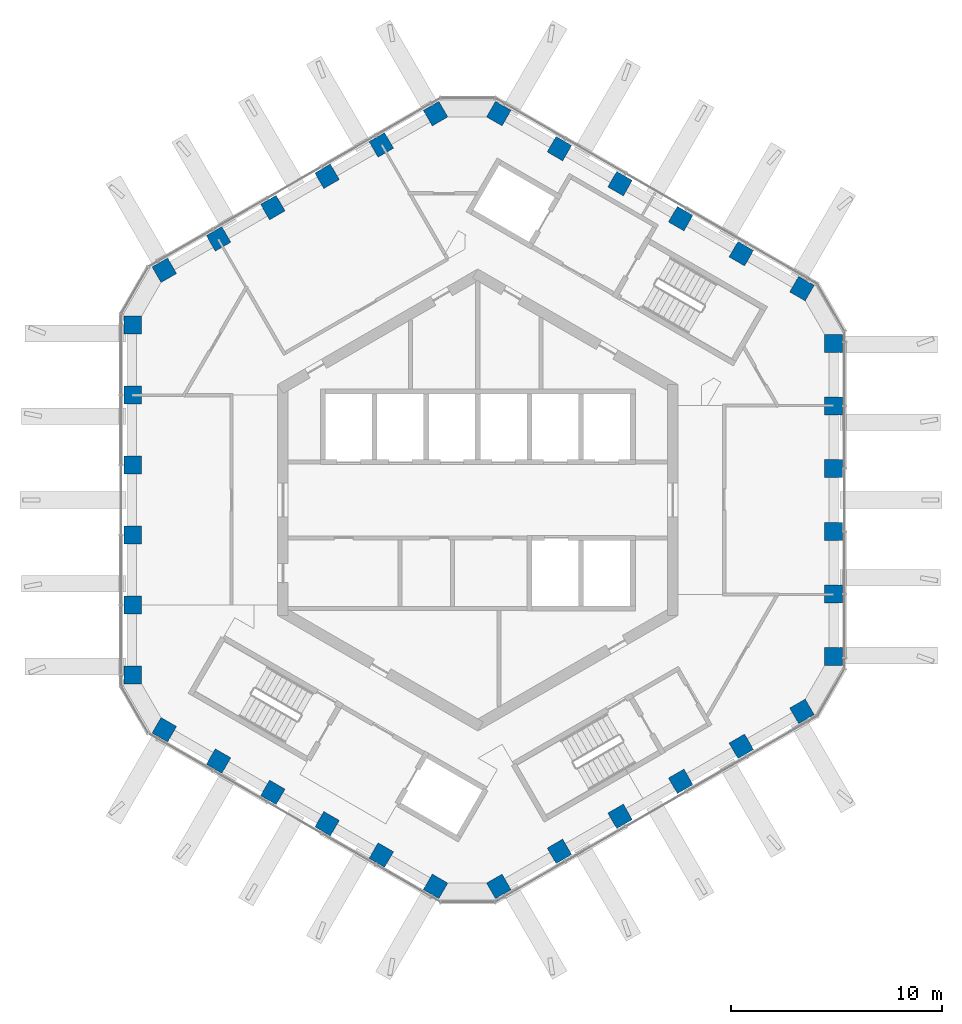
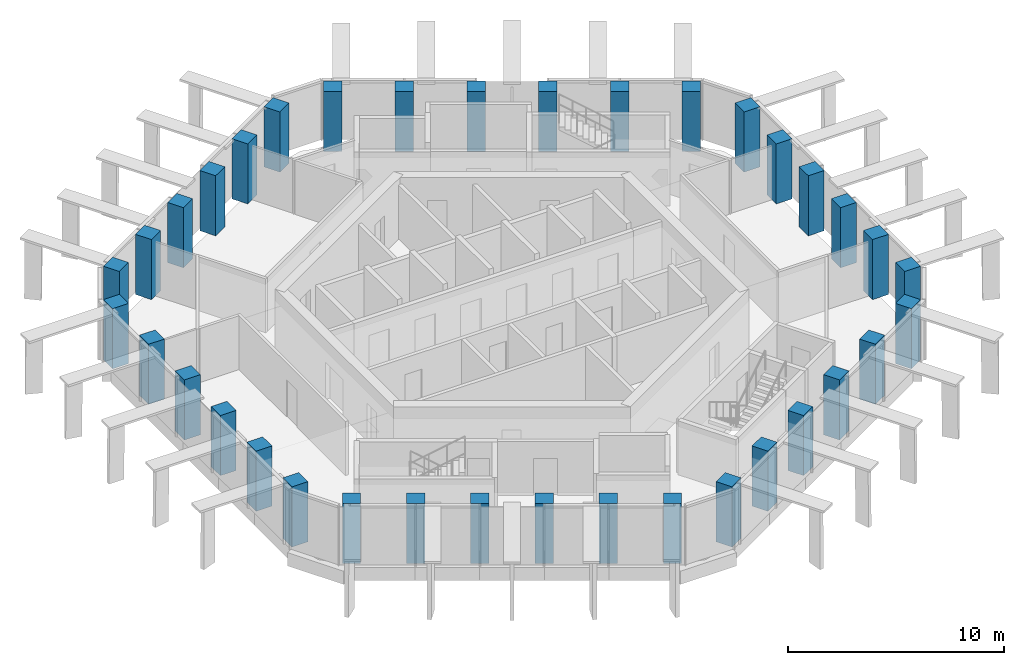
# One storey, part 1 of 17: 36 columns.
"""IFC4 building model written with IfcOpenShell, lengths in metres."""

from ifc_helpers import new_model, si_unit, direction, frame, origin, origin_2d, place, context, subcontext, project, spatial, rectangle, extrude, material, material_profile, profile_set, type_object, element, save


model = new_model("IFC4")

# Units and contexts
model_context = context("Model", 3, precision=1e-05, world=origin(), true_north=direction((0.0, 1.0)))
body_context = subcontext(model_context, "Body", "Model", "MODEL_VIEW")
ifc_project = project(units=[si_unit("LENGTHUNIT", "METRE"), si_unit("AREAUNIT", "SQUARE_METRE"), si_unit("VOLUMEUNIT", "CUBIC_METRE"), si_unit("PLANEANGLEUNIT", "RADIAN"), si_unit("MASSUNIT", "GRAM", prefix="KILO")], contexts=[model_context])

# Site, building, storey
site_placement = place(None, origin())
site = spatial("IfcSite", under=ifc_project, at=site_placement, CompositionType="ELEMENT")
building_placement = place(site_placement, origin())
building = spatial("IfcBuilding", under=site, at=building_placement, Name="Ayvan Gate Tower", CompositionType="ELEMENT")
storey_placement = place(building_placement, frame((0.0, 0.0, 246.10009765625)))
storey = spatial("IfcBuildingStorey", under=building, at=storey_placement, Name="L66", CompositionType="ELEMENT", Elevation=246.10009765625)

# Columns
ifc_material = material(Name="Concrete C50/60", Category="concrete")
ifc_material_profile = material_profile(ifc_material, rectangle(XDim=0.85009765625, YDim=0.85009765625, at=origin_2d()), Name="RC 850x850")
ifc_profile_set = profile_set([ifc_material_profile], Name="Concrete C50/60")
column_type = type_object("IfcColumnType", Name="Tube column RC 850x850 C50/60", PredefinedType="COLUMN", material=ifc_profile_set)
for number, where, z_axis, x_axis, name in (
    (1, (16.887451171875, -7.435546875, 0.0), (0.0, 0.0, 1.0), (1.0, 0.0, 0.0), "C-T0-0-L66"),
    (2, (16.887451171875, -4.461181640625, 0.0), (0.0, 0.0, 1.0), (1.0, 0.0, 0.0), "C-T0-1-L66"),
    (3, (16.887451171875, -1.487060546875, 0.0), (0.0, 0.0, 1.0), (1.0, 0.0, 0.0), "C-T0-2-L66"),
    (4, (16.887451171875, 1.487060546875, 0.0), (0.0, 0.0, 1.0), (1.0, 0.0, 0.0), "C-T0-3-L66"),
    (5, (16.887451171875, 4.461181640625, 0.0), (0.0, 0.0, 1.0), (1.0, 0.0, 0.0), "C-T0-4-L66"),
    (6, (16.887451171875, 7.435546875, 0.0), (0.0, 0.0, 1.0), (1.0, 0.0, 0.0), "C-T0-5-L66"),
    (7, (15.387451171875, 10.033447265625, 0.0), (0.0, 0.0, 1.0), (0.5, 0.866025403784, 0.0), "C-T1-0-L66"),
    (8, (12.509033203125, 11.6953125, 0.0), (0.0, 0.0, 1.0), (0.5, 0.866025403784, 0.0), "C-T1-1-L66"),
    (9, (9.630615234375, 13.357177734375, 0.0), (0.0, 0.0, 1.0), (0.5, 0.866025403784, 0.0), "C-T1-2-L66"),
    (10, (6.75244140625, 15.01904296875, 0.0), (0.0, 0.0, 1.0), (0.5, 0.866025403784, 0.0), "C-T1-3-L66"),
    (11, (3.8740234375, 16.680908203125, 0.0), (0.0, 0.0, 1.0), (0.5, 0.866025403784, 0.0), "C-T1-4-L66"),
    (12, (0.99560546875, 18.3427734375, 0.0), (0.0, 0.0, 1.0), (0.5, 0.866025403784, 0.0), "C-T1-5-L66"),
    (13, (-2.00439453125, 18.3427734375, 0.0), (0.0, 0.0, 1.0), (-0.5, 0.866025403784, 0.0), "C-T2-0-L66"),
    (14, (-4.580078125, 16.855712890625, 0.0), (0.0, 0.0, 1.0), (-0.5, 0.866025403784, 0.0), "C-T2-1-L66"),
    (15, (-7.156005859375, 15.36865234375, 0.0), (0.0, 0.0, 1.0), (-0.5, 0.866025403784, 0.0), "C-T2-2-L66"),
    (16, (-9.731689453125, 13.88134765625, 0.0), (0.0, 0.0, 1.0), (-0.5, 0.866025403784, 0.0), "C-T2-3-L66"),
    (17, (-12.307373046875, 12.394287109375, 0.0), (0.0, 0.0, 1.0), (-0.5, 0.866025403784, 0.0), "C-T2-4-L66"),
    (18, (-14.883056640625, 10.9072265625, 0.0), (0.0, 0.0, 1.0), (-0.5, 0.866025403784, 0.0), "C-T2-5-L66"),
    (19, (-16.383056640625, 8.30908203125, 0.0), (0.0, 0.0, 1.0), (-1.0, 0.0, 0.0), "C-T3-0-L66"),
    (20, (-16.383056640625, 4.985595703125, 0.0), (0.0, 0.0, 1.0), (-1.0, 0.0, 0.0), "C-T3-1-L66"),
    (21, (-16.383056640625, 1.661865234375, 0.0), (0.0, 0.0, 1.0), (-1.0, 0.0, 0.0), "C-T3-2-L66"),
    (22, (-16.383056640625, -1.661865234375, 0.0), (0.0, 0.0, 1.0), (-1.0, 0.0, 0.0), "C-T3-3-L66"),
    (23, (-16.383056640625, -4.985595703125, 0.0), (0.0, 0.0, 1.0), (-1.0, 0.0, 0.0), "C-T3-4-L66"),
    (24, (-16.383056640625, -8.30908203125, 0.0), (0.0, 0.0, 1.0), (-1.0, 0.0, 0.0), "C-T3-5-L66"),
    (25, (-14.883056640625, -10.9072265625, 0.0), (0.0, 0.0, 1.0), (-0.5, -0.866025403784, 0.0), "C-T4-0-L66"),
    (26, (-12.307373046875, -12.394287109375, 0.0), (0.0, 0.0, 1.0), (-0.5, -0.866025403784, 0.0), "C-T4-1-L66"),
    (27, (-9.731689453125, -13.88134765625, 0.0), (0.0, 0.0, 1.0), (-0.5, -0.866025403784, 0.0), "C-T4-2-L66"),
    (28, (-7.156005859375, -15.36865234375, 0.0), (0.0, 0.0, 1.0), (-0.5, -0.866025403784, 0.0), "C-T4-3-L66"),
    (29, (-4.580078125, -16.855712890625, 0.0), (0.0, 0.0, 1.0), (-0.5, -0.866025403784, 0.0), "C-T4-4-L66"),
    (30, (-2.00439453125, -18.3427734375, 0.0), (0.0, 0.0, 1.0), (-0.5, -0.866025403784, 0.0), "C-T4-5-L66"),
    (31, (0.99560546875, -18.3427734375, 0.0), (0.0, 0.0, 1.0), (0.5, -0.866025403784, 0.0), "C-T5-0-L66"),
    (32, (3.8740234375, -16.680908203125, 0.0), (0.0, 0.0, 1.0), (0.5, -0.866025403784, 0.0), "C-T5-1-L66"),
    (33, (6.75244140625, -15.01904296875, 0.0), (0.0, 0.0, 1.0), (0.5, -0.866025403784, 0.0), "C-T5-2-L66"),
    (34, (9.630615234375, -13.357177734375, 0.0), (0.0, 0.0, 1.0), (0.5, -0.866025403784, 0.0), "C-T5-3-L66"),
    (35, (12.509033203125, -11.6953125, 0.0), (0.0, 0.0, 1.0), (0.5, -0.866025403784, 0.0), "C-T5-4-L66"),
    (36, (15.387451171875, -10.033447265625, 0.0), (0.0, 0.0, 1.0), (0.5, -0.866025403784, 0.0), "C-T5-5-L66"),
):
    element("IfcColumn", number, at=place(storey_placement, frame(where, z_axis=z_axis, x_axis=x_axis)), inside=storey, type_object=column_type, Name=name, PredefinedType="COLUMN", context=body_context, shape_type="SweptSolid", body=[
        extrude(rectangle(XDim=0.85009765625, YDim=0.85009765625, at=origin_2d()), origin(), (0.0, 0.0, 1.0), 3.39990234375),
    ])

save(model, "model.ifc")
